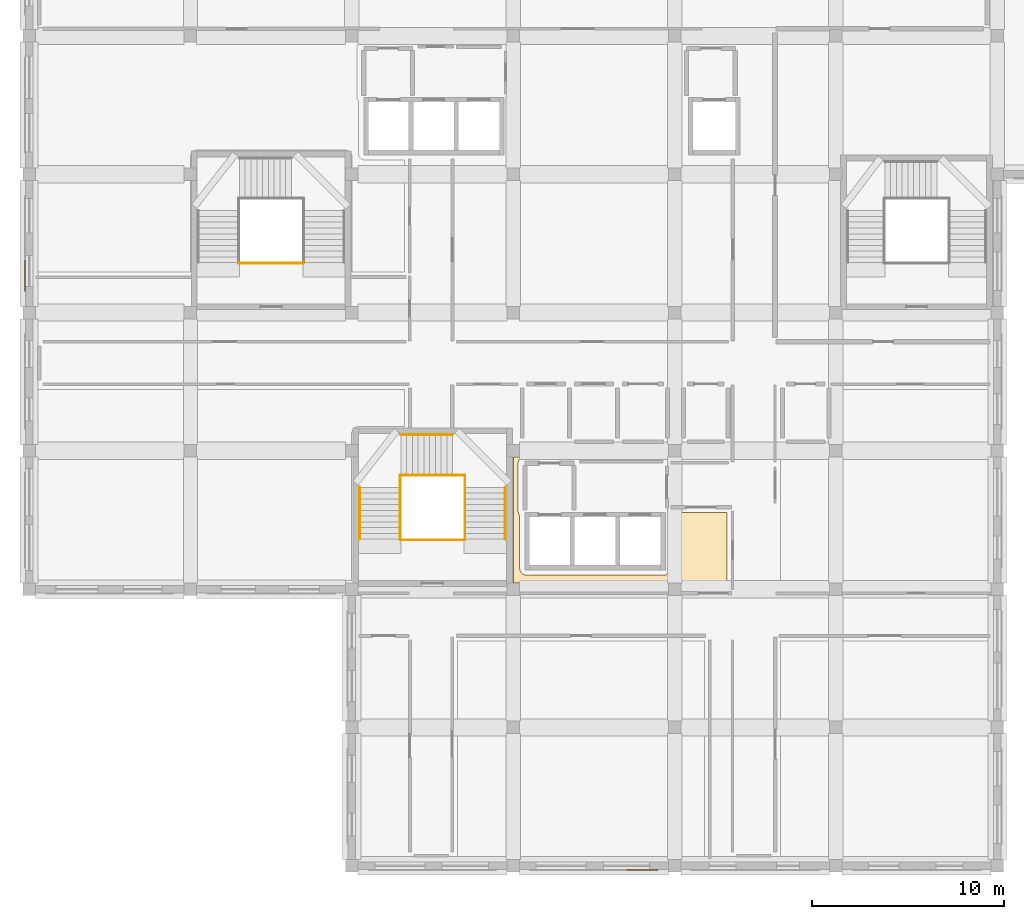
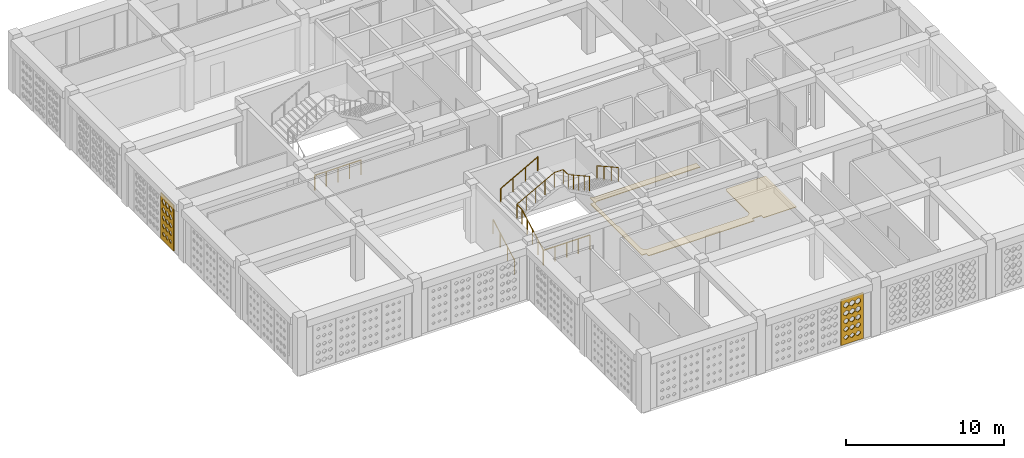
# One storey, part 21 of 47: 8 railings, 3 coverings.
"""IFC4 building model written with IfcOpenShell, lengths in metres."""

from ifc_helpers import new_model, si_unit, derived_unit, direction, frame, origin, origin_2d, place, context, subcontext, project, spatial, polyline, circle, outline, extrude, material, layer, layer_set, type_object, element, save


model = new_model("IFC4")

# Units and contexts
model_context = context("Model", 3, precision=1e-05, world=origin(), true_north=direction((0.0, 1.0)))
body_context = subcontext(model_context, "Body", "Model", "MODEL_VIEW")
ifc_project = project(units=[si_unit("LENGTHUNIT", "METRE"), si_unit("AREAUNIT", "SQUARE_METRE"), si_unit("VOLUMEUNIT", "CUBIC_METRE"), si_unit("PLANEANGLEUNIT", "RADIAN"), si_unit("MASSUNIT", "GRAM", prefix="KILO"), derived_unit("THERMALTRANSMITTANCEUNIT", [(si_unit("POWERUNIT", "WATT"), 1), (si_unit("LENGTHUNIT", "METRE"), -2), (si_unit("THERMODYNAMICTEMPERATUREUNIT", "KELVIN"), -1)])], contexts=[model_context])

# Site, building, storey
site_placement = place(None, origin())
site = spatial("IfcSite", under=ifc_project, at=site_placement, CompositionType="ELEMENT")
building_placement = place(site_placement, origin())
building = spatial("IfcBuilding", under=site, at=building_placement, Name="Veybourne Emporium", CompositionType="ELEMENT")
storey_placement = place(building_placement, frame((0.0, 0.0, 23.39990234375)))
storey = spatial("IfcBuildingStorey", under=building, at=storey_placement, Name="L05", CompositionType="ELEMENT", Elevation=23.39990234375)

# Covering
ifc_material_1 = material(Name="Venetian Terrazzo Flooring", Category="masonry")
ifc_layer_1 = layer(ifc_material_1, 0.044921875)
ifc_layer_set_1 = layer_set([ifc_layer_1], Name="Venetian Terrazzo Flooring")
covering_type_1 = type_object("IfcCoveringType", Name="Flooring_FLR-01", PredefinedType="FLOORING", material=ifc_layer_set_1)
covering_1_placement = place(storey_placement, origin())
element("IfcCovering", 1, at=covering_1_placement, inside=storey, type_object=covering_type_1, Name="L05 floor finish 05", PredefinedType="FLOORING", context=body_context, shape_type="SweptSolid", body=[
    extrude(outline(polyline([(25.5419921875, 21.8564453125), (25.558349609375, 21.845458984375), (25.57177734375, 21.83740234375), (25.589111328125, 21.828125), (25.603271484375, 21.8212890625), (25.621337890625, 21.81396484375), (25.63623046875, 21.80859375), (25.655029296875, 21.802978515625), (25.670166015625, 21.799072265625), (25.689453125, 21.795166015625), (25.705078125, 21.79296875), (25.724609375, 21.791015625), (25.740234375, 21.790283203125), (25.75, 21.7900390625), (28.050048828125, 21.7900390625), (28.059814453125, 21.790283203125), (28.075439453125, 21.791015625), (28.094970703125, 21.79296875), (28.110595703125, 21.795166015625), (28.1298828125, 21.799072265625), (28.14501953125, 21.802978515625), (28.14990234375, 21.804443359375), (28.155029296875, 21.802978515625), (28.170166015625, 21.799072265625), (28.189453125, 21.795166015625), (28.205078125, 21.79296875), (28.224609375, 21.791015625), (28.240234375, 21.790283203125), (28.25, 21.7900390625), (30.550048828125, 21.7900390625), (30.559814453125, 21.790283203125), (30.575439453125, 21.791015625), (30.594970703125, 21.79296875), (30.610595703125, 21.795166015625), (30.6298828125, 21.799072265625), (30.64501953125, 21.802978515625), (30.64990234375, 21.804443359375), (30.655029296875, 21.802978515625), (30.670166015625, 21.799072265625), (30.689453125, 21.795166015625), (30.705078125, 21.79296875), (30.724609375, 21.791015625), (30.740234375, 21.790283203125), (30.75, 21.7900390625), (33.14990234375, 21.7900390625), (33.159912109375, 21.790283203125), (33.175537109375, 21.791015625), (33.195068359375, 21.79296875), (33.21044921875, 21.795166015625), (33.229736328125, 21.799072265625), (33.2451171875, 21.802978515625), (33.263916015625, 21.80859375), (33.27001953125, 21.810791015625), (33.27001953125, 21.277099609375), (33.266845703125, 21.278564453125), (33.24853515625, 21.2861328125), (33.23388671875, 21.29150390625), (33.215087890625, 21.297119140625), (33.199951171875, 21.301025390625), (33.180419921875, 21.3046875), (33.1650390625, 21.30712890625), (33.1455078125, 21.30908203125), (33.1298828125, 21.309814453125), (33.1201171875, 21.31005859375), (28.52001953125, 21.31005859375), (28.51025390625, 21.309814453125), (28.49462890625, 21.30908203125), (28.47509765625, 21.30712890625), (28.45947265625, 21.3046875), (28.440185546875, 21.301025390625), (28.43994140625, 21.30078125), (28.43994140625, 21.301025390625), (28.42041015625, 21.3046875), (28.405029296875, 21.30712890625), (28.385498046875, 21.30908203125), (28.369873046875, 21.309814453125), (28.360107421875, 21.31005859375), (25.820068359375, 21.31005859375), (25.810302734375, 21.309814453125), (25.79443359375, 21.30908203125), (25.77490234375, 21.30712890625), (25.759521484375, 21.3046875), (25.740234375, 21.301025390625), (25.724853515625, 21.297119140625), (25.7060546875, 21.29150390625), (25.69140625, 21.2861328125), (25.67333984375, 21.278564453125), (25.6591796875, 21.27197265625), (25.641845703125, 21.2626953125), (25.62841796875, 21.254638671875), (25.61181640625, 21.24365234375), (25.599365234375, 21.234375), (25.584228515625, 21.221923828125), (25.572509765625, 21.21142578125), (25.55859375, 21.197265625), (25.548095703125, 21.185791015625), (25.53564453125, 21.170654296875), (25.5263671875, 21.158203125), (25.515380859375, 21.1416015625), (25.50732421875, 21.128173828125), (25.498046875, 21.11083984375), (25.491455078125, 21.0966796875), (25.48388671875, 21.07861328125), (25.478515625, 21.06396484375), (25.472900390625, 21.045166015625), (25.468994140625, 21.02978515625), (25.46533203125, 21.010498046875), (25.462890625, 20.994873046875), (25.4609375, 20.9755859375), (25.460205078125, 20.959716796875), (25.4599609375, 20.949951171875), (25.4599609375, 18.4482421875), (25.460205078125, 18.438720703125), (25.4609375, 18.42333984375), (25.462890625, 18.404296875), (25.465087890625, 18.38916015625), (25.46875, 18.370361328125), (25.47216796875, 18.35546875), (25.477783203125, 18.3369140625), (25.48291015625, 18.322509765625), (25.489990234375, 18.3046875), (25.496337890625, 18.290771484375), (25.50537109375, 18.273681640625), (25.512939453125, 18.260498046875), (25.5234375, 18.244384765625), (25.532470703125, 18.23193359375), (25.5400390625, 18.222412109375), (25.5400390625, 15.489990234375), (25.540283203125, 15.480224609375), (25.541015625, 15.464599609375), (25.54296875, 15.445068359375), (25.545166015625, 15.429443359375), (25.549072265625, 15.41015625), (25.552978515625, 15.39501953125), (25.55859375, 15.376220703125), (25.56396484375, 15.361328125), (25.5712890625, 15.34326171875), (25.578125, 15.3291015625), (25.58740234375, 15.311767578125), (25.595458984375, 15.29833984375), (25.6064453125, 15.281982421875), (25.61572265625, 15.269287109375), (25.628173828125, 15.254150390625), (25.638671875, 15.24267578125), (25.652587890625, 15.228515625), (25.664306640625, 15.218017578125), (25.67919921875, 15.205810546875), (25.69189453125, 15.1962890625), (25.708251953125, 15.185302734375), (25.7216796875, 15.17724609375), (25.739013671875, 15.16796875), (25.753173828125, 15.161376953125), (25.771484375, 15.15380859375), (25.7861328125, 15.148681640625), (25.804931640625, 15.142822265625), (25.820068359375, 15.13916015625), (25.839599609375, 15.13525390625), (25.85498046875, 15.1328125), (25.87451171875, 15.131103515625), (25.89013671875, 15.130126953125), (25.89990234375, 15.1298828125), (28.320068359375, 15.1298828125), (28.329833984375, 15.130126953125), (28.345458984375, 15.131103515625), (28.364990234375, 15.1328125), (28.380615234375, 15.13525390625), (28.39990234375, 15.13916015625), (28.39990234375, 15.13916015625), (28.400146484375, 15.13916015625), (28.41943359375, 15.13525390625), (28.43505859375, 15.1328125), (28.45458984375, 15.131103515625), (28.47021484375, 15.130126953125), (28.47998046875, 15.1298828125), (30.679931640625, 15.1298828125), (30.689697265625, 15.130126953125), (30.70556640625, 15.131103515625), (30.72509765625, 15.1328125), (30.740478515625, 15.13525390625), (30.759765625, 15.13916015625), (30.760009765625, 15.13916015625), (30.76025390625, 15.13916015625), (30.779541015625, 15.13525390625), (30.794921875, 15.1328125), (30.814453125, 15.131103515625), (30.830078125, 15.130126953125), (30.840087890625, 15.1298828125), (33.0400390625, 15.1298828125), (33.0498046875, 15.130126953125), (33.0654296875, 15.131103515625), (33.0849609375, 15.1328125), (33.1005859375, 15.13525390625), (33.119873046875, 15.13916015625), (33.135009765625, 15.142822265625), (33.15380859375, 15.148681640625), (33.168701171875, 15.15380859375), (33.186767578125, 15.161376953125), (33.200927734375, 15.16796875), (33.21826171875, 15.17724609375), (33.231689453125, 15.185302734375), (33.248046875, 15.1962890625), (33.2607421875, 15.205810546875), (33.275634765625, 15.218017578125), (33.287353515625, 15.228515625), (33.30126953125, 15.24267578125), (33.31201171875, 15.254150390625), (33.32421875, 15.269287109375), (33.333740234375, 15.281982421875), (33.3447265625, 15.29833984375), (33.352783203125, 15.311767578125), (33.36181640625, 15.3291015625), (33.36865234375, 15.34326171875), (33.376220703125, 15.361328125), (33.38134765625, 15.376220703125), (33.38720703125, 15.39501953125), (33.390869140625, 15.41015625), (33.394775390625, 15.429443359375), (33.39697265625, 15.445068359375), (33.39892578125, 15.464599609375), (33.399658203125, 15.480224609375), (33.39990234375, 15.489990234375), (33.39990234375, 18.222412109375), (33.407470703125, 18.23193359375), (33.41650390625, 18.244384765625), (33.427001953125, 18.260498046875), (33.434814453125, 18.273681640625), (33.443603515625, 18.290771484375), (33.449951171875, 18.3046875), (33.457275390625, 18.322509765625), (33.462158203125, 18.3369140625), (33.4677734375, 18.35546875), (33.471435546875, 18.370361328125), (33.47509765625, 18.38916015625), (33.47509765625, 18.389892578125), (36.340087890625, 18.389892578125), (36.340087890625, 14.4599609375), (33.929931640625, 14.4599609375), (33.929931640625, 14.72998046875), (33.27001953125, 14.72998046875), (33.27001953125, 14.4599609375), (25.530029296875, 14.4599609375), (25.530029296875, 14.72998046875), (25.189208984375, 14.72998046875), (25.19140625, 14.736083984375), (25.197021484375, 14.7548828125), (25.200927734375, 14.770263671875), (25.204833984375, 14.78955078125), (25.20703125, 14.804931640625), (25.208984375, 14.824462890625), (25.209716796875, 14.840087890625), (25.2099609375, 14.85009765625), (25.2099609375, 21.27001953125), (25.530029296875, 21.27001953125), (25.530029296875, 21.865234375), (25.5419921875, 21.8564453125)])), origin(), (0.0, 0.0, 1.0), 0.045166015625),
])

# Railings
ifc_material_2 = material(Name="Brushed Stainless Steel", Category="steel")
railing_type_1 = type_object("IfcRailingType", Name="Guard_GR-01", PredefinedType="GUARDRAIL", material=ifc_material_2)
railing_1_placement = place(storey_placement, frame((19.31005859375, 17.0, 0.0)))
element("IfcRailing", 2, at=railing_1_placement, inside=storey, type_object=railing_type_1, Name="L05 ST-01 stair guard 1", PredefinedType="GUARDRAIL", context=body_context, shape_type="SweptSolid", body=[
    extrude(circle(Radius=0.02392578125, at=origin_2d()), frame((0.0, 0.0, 1.1259765625), z_axis=(0.0, 0.87415354758, 0.485649642493), x_axis=(-1.0, 0.0, 0.0)), (0.0, 0.0, 1.0), 3.088623046875),
    extrude(circle(Radius=0.02392578125, at=origin_2d()), frame((0.0, 2.699951171875, 2.6259765625), z_axis=(0.0, 1.0, 0.0), x_axis=(-1.0, 0.0, 0.0)), (0.0, 0.0, 1.0), 0.64013671875),
    extrude(circle(Radius=0.02099609375, at=origin_2d()), origin(), (0.0, 0.0, 1.0), 1.101806640625),
    extrude(circle(Radius=0.02099609375, at=origin_2d()), frame((0.0, 0.675048828125, 0.375)), (0.0, 0.0, 1.0), 1.101806640625),
    extrude(circle(Radius=0.02099609375, at=origin_2d()), frame((0.0, 1.35009765625, 0.75)), (0.0, 0.0, 1.0), 1.101806640625),
    extrude(circle(Radius=0.02099609375, at=origin_2d()), frame((0.0, 2.02490234375, 1.125)), (0.0, 0.0, 1.0), 1.101806640625),
    extrude(circle(Radius=0.02099609375, at=origin_2d()), frame((0.0, 2.699951171875, 1.5)), (0.0, 0.0, 1.0), 1.101806640625),
    extrude(circle(Radius=0.02099609375, at=origin_2d()), frame((0.0, 3.340087890625, 1.5)), (0.0, 0.0, 1.0), 1.101806640625),
])
railing_2_placement = place(storey_placement, frame((19.31005859375, 20.340087890625, 1.5)))
element("IfcRailing", 3, at=railing_2_placement, inside=storey, type_object=railing_type_1, Name="L05 ST-01 stair guard 2", PredefinedType="GUARDRAIL", context=body_context, shape_type="SweptSolid", body=[
    extrude(circle(Radius=0.02392578125, at=origin_2d()), frame((0.0, 0.0, 1.1259765625), z_axis=(0.87715976088, 0.0, 0.480198660861), x_axis=(0.0, 1.0, 0.0)), (0.0, 0.0, 1.0), 3.123779296875),
    extrude(circle(Radius=0.02392578125, at=origin_2d()), frame((2.739990234375, 0.0, 2.6259765625), z_axis=(1.0, 0.0, 0.0), x_axis=(0.0, 1.0, 0.0)), (0.0, 0.0, 1.0), 0.639892578125),
    extrude(circle(Radius=0.02099609375, at=origin_2d()), origin(), (0.0, 0.0, 1.0), 1.101806640625),
    extrude(circle(Radius=0.02099609375, at=origin_2d()), frame((0.68505859375, 0.0, 0.375)), (0.0, 0.0, 1.0), 1.101806640625),
    extrude(circle(Radius=0.02099609375, at=origin_2d()), frame((1.3701171875, 0.0, 0.75)), (0.0, 0.0, 1.0), 1.101806640625),
    extrude(circle(Radius=0.02099609375, at=origin_2d()), frame((2.054931640625, 0.0, 1.125)), (0.0, 0.0, 1.0), 1.101806640625),
    extrude(circle(Radius=0.02099609375, at=origin_2d()), frame((2.739990234375, 0.0, 1.5)), (0.0, 0.0, 1.0), 1.101806640625),
    extrude(circle(Radius=0.02099609375, at=origin_2d()), frame((3.3798828125, 0.0, 1.5)), (0.0, 0.0, 1.0), 1.101806640625),
])
railing_3_placement = place(storey_placement, frame((22.68994140625, 20.340087890625, 3.0)))
element("IfcRailing", 4, at=railing_3_placement, inside=storey, type_object=railing_type_1, Name="L05 ST-01 stair guard 3", PredefinedType="GUARDRAIL", context=body_context, shape_type="SweptSolid", body=[
    extrude(circle(Radius=0.02392578125, at=origin_2d()), frame((0.0, 0.0, 1.1259765625), z_axis=(0.0, -1.0, 0.0), x_axis=(1.0, 0.0, 0.0)), (0.0, 0.0, 1.0), 0.64013671875),
    extrude(circle(Radius=0.02392578125, at=origin_2d()), frame((0.0, -0.64013671875, 1.1259765625), z_axis=(0.0, -0.87415354758, 0.485649642493), x_axis=(1.0, 0.0, 0.0)), (0.0, 0.0, 1.0), 3.088623046875),
    extrude(circle(Radius=0.02099609375, at=origin_2d()), origin(), (0.0, 0.0, 1.0), 1.101806640625),
    extrude(circle(Radius=0.02099609375, at=origin_2d()), frame((0.0, -0.64013671875, 0.0)), (0.0, 0.0, 1.0), 1.101806640625),
    extrude(circle(Radius=0.02099609375, at=origin_2d()), frame((0.0, -1.315185546875, 0.375)), (0.0, 0.0, 1.0), 1.101806640625),
    extrude(circle(Radius=0.02099609375, at=origin_2d()), frame((0.0, -1.990234375, 0.75)), (0.0, 0.0, 1.0), 1.101806640625),
    extrude(circle(Radius=0.02099609375, at=origin_2d()), frame((0.0, -2.6650390625, 1.125)), (0.0, 0.0, 1.0), 1.101806640625),
    extrude(circle(Radius=0.02099609375, at=origin_2d()), frame((0.0, -3.340087890625, 1.5)), (0.0, 0.0, 1.0), 1.101806640625),
])
railing_4_placement = place(storey_placement, frame((19.31005859375, 16.9599609375, 0.0)))
element("IfcRailing", 5, at=railing_4_placement, inside=storey, type_object=railing_type_1, Name="L05 ST-01 stair guard 4", PredefinedType="GUARDRAIL", context=body_context, shape_type="SweptSolid", body=[
    extrude(circle(Radius=0.02392578125, at=origin_2d()), frame((0.0, 0.0, 1.1259765625), z_axis=(1.0, 0.0, 0.0), x_axis=(0.0, 1.0, 0.0)), (0.0, 0.0, 1.0), 3.3798828125),
    extrude(circle(Radius=0.02099609375, at=origin_2d()), origin(), (0.0, 0.0, 1.0), 1.101806640625),
    extrude(circle(Radius=0.02099609375, at=origin_2d()), frame((0.844970703125, 0.0, 0.0)), (0.0, 0.0, 1.0), 1.101806640625),
    extrude(circle(Radius=0.02099609375, at=origin_2d()), frame((1.68994140625, 0.0, 0.0)), (0.0, 0.0, 1.0), 1.101806640625),
    extrude(circle(Radius=0.02099609375, at=origin_2d()), frame((2.534912109375, 0.0, 0.0)), (0.0, 0.0, 1.0), 1.101806640625),
    extrude(circle(Radius=0.02099609375, at=origin_2d()), frame((3.3798828125, 0.0, 0.0)), (0.0, 0.0, 1.0), 1.101806640625),
])
railing_5_placement = place(storey_placement, frame((10.909912109375, 31.360107421875, 0.0)))
element("IfcRailing", 6, at=railing_5_placement, inside=storey, type_object=railing_type_1, Name="L05 ST-02 stair guard 4", PredefinedType="GUARDRAIL", context=body_context, shape_type="SweptSolid", body=[
    extrude(circle(Radius=0.02392578125, at=origin_2d()), frame((0.0, 0.0, 1.1259765625), z_axis=(1.0, 0.0, 0.0), x_axis=(0.0, 1.0, 0.0)), (0.0, 0.0, 1.0), 3.380126953125),
    extrude(circle(Radius=0.02099609375, at=origin_2d()), origin(), (0.0, 0.0, 1.0), 1.101806640625),
    extrude(circle(Radius=0.02099609375, at=origin_2d()), frame((0.844970703125, 0.0, 0.0)), (0.0, 0.0, 1.0), 1.101806640625),
    extrude(circle(Radius=0.02099609375, at=origin_2d()), frame((1.68994140625, 0.0, 0.0)), (0.0, 0.0, 1.0), 1.101806640625),
    extrude(circle(Radius=0.02099609375, at=origin_2d()), frame((2.53515625, 0.0, 0.0)), (0.0, 0.0, 1.0), 1.101806640625),
    extrude(circle(Radius=0.02099609375, at=origin_2d()), frame((3.380126953125, 0.0, 0.0)), (0.0, 0.0, 1.0), 1.101806640625),
])
railing_type_2 = type_object("IfcRailingType", Name="Handrail_HR-01", PredefinedType="HANDRAIL", material=ifc_material_2)
railing_6_placement = place(storey_placement, frame((17.2099609375, 17.0, 0.150146484375)))
element("IfcRailing", 7, at=railing_6_placement, inside=storey, type_object=railing_type_2, Name="L05 ST-01 pitch handrail 1", PredefinedType="HANDRAIL", context=body_context, shape_type="SweptSolid", body=[
    extrude(circle(Radius=0.02392578125, at=origin_2d()), frame((0.0, 0.0, 0.92578125), z_axis=(0.0, 0.87415354758, 0.485649642493), x_axis=(-1.0, 0.0, 0.0)), (0.0, 0.0, 1.0), 3.088623046875),
    extrude(circle(Radius=0.02099609375, at=origin_2d()), frame((0.0, 0.0, -0.14990234375)), (0.0, 0.0, 1.0), 1.0517578125),
    extrude(circle(Radius=0.02099609375, at=origin_2d()), frame((0.0, 0.89990234375, 0.35009765625)), (0.0, 0.0, 1.0), 1.0517578125),
    extrude(circle(Radius=0.02099609375, at=origin_2d()), frame((0.0, 1.800048828125, 0.85009765625)), (0.0, 0.0, 1.0), 1.0517578125),
    extrude(circle(Radius=0.02099609375, at=origin_2d()), frame((0.0, 2.699951171875, 1.35009765625)), (0.0, 0.0, 1.0), 1.0517578125),
])
railing_7_placement = place(storey_placement, frame((19.35009765625, 22.43994140625, 1.650146484375)))
element("IfcRailing", 8, at=railing_7_placement, inside=storey, type_object=railing_type_2, Name="L05 ST-01 pitch handrail 2", PredefinedType="HANDRAIL", context=body_context, shape_type="SweptSolid", body=[
    extrude(circle(Radius=0.02392578125, at=origin_2d()), frame((0.0, 0.0, 0.92578125), z_axis=(0.87415354758, 0.0, 0.485649642493), x_axis=(0.0, 1.0, 0.0)), (0.0, 0.0, 1.0), 3.088623046875),
    extrude(circle(Radius=0.02099609375, at=origin_2d()), frame((0.0, 0.0, -0.14990234375)), (0.0, 0.0, 1.0), 1.0517578125),
    extrude(circle(Radius=0.02099609375, at=origin_2d()), frame((0.89990234375, 0.0, 0.35009765625)), (0.0, 0.0, 1.0), 1.0517578125),
    extrude(circle(Radius=0.02099609375, at=origin_2d()), frame((1.800048828125, 0.0, 0.85009765625)), (0.0, 0.0, 1.0), 1.0517578125),
    extrude(circle(Radius=0.02099609375, at=origin_2d()), frame((2.699951171875, 0.0, 1.35009765625)), (0.0, 0.0, 1.0), 1.0517578125),
])
railing_8_placement = place(storey_placement, frame((24.7900390625, 19.699951171875, 3.150146484375)))
element("IfcRailing", 9, at=railing_8_placement, inside=storey, type_object=railing_type_2, Name="L05 ST-01 pitch handrail 3", PredefinedType="HANDRAIL", context=body_context, shape_type="SweptSolid", body=[
    extrude(circle(Radius=0.02392578125, at=origin_2d()), frame((0.0, 0.0, 0.92578125), z_axis=(0.0, -0.87415354758, 0.485649642493), x_axis=(1.0, 0.0, 0.0)), (0.0, 0.0, 1.0), 3.088623046875),
    extrude(circle(Radius=0.02099609375, at=origin_2d()), frame((0.0, 0.0, -0.14990234375)), (0.0, 0.0, 1.0), 1.0517578125),
    extrude(circle(Radius=0.02099609375, at=origin_2d()), frame((0.0, -0.89990234375, 0.35009765625)), (0.0, 0.0, 1.0), 1.0517578125),
    extrude(circle(Radius=0.02099609375, at=origin_2d()), frame((0.0, -1.800048828125, 0.85009765625)), (0.0, 0.0, 1.0), 1.0517578125),
    extrude(circle(Radius=0.02099609375, at=origin_2d()), frame((0.0, -2.699951171875, 1.35009765625)), (0.0, 0.0, 1.0), 1.0517578125),
])

# Coverings
ifc_material_3 = material(Name="Warm-White Perforated Aluminium Screen Alloy", Category="aluminium")
ifc_layer_2 = layer(ifc_material_3, 0.06005859375)
ifc_layer_set_2 = layer_set([ifc_layer_2], Name="Warm-White Perforated Aluminium Screen Alloy")
covering_type_2 = type_object("IfcCoveringType", Name="WaveScreen_SCR-01", PredefinedType="CLADDING", material=ifc_layer_set_2)
covering_2_placement = place(storey_placement, frame((31.919921875, -0.248046875, 1.830078125), z_axis=(0.0, 1.0, 0.0), x_axis=(-1.0, 0.0, 0.0)))
element("IfcCovering", 10, at=covering_2_placement, inside=storey, type_object=covering_type_2, Name="L05 wave-perforated aluminium screen SCR-01 (14.1)", PredefinedType="CLADDING", context=body_context, shape_type="SweptSolid", body=[
    extrude(outline(polyline([(-0.81982421875, -1.77001953125), (0.81982421875, -1.77001953125), (0.81982421875, 1.77001953125), (-0.81982421875, 1.77001953125), (-0.81982421875, -1.77001953125)]), holes=[polyline([(-0.433349609375, -1.052734375), (-0.270263671875, -1.172607421875), (-0.270263671875, -1.307373046875), (-0.433349609375, -1.42724609375), (-0.596435546875, -1.307373046875), (-0.596435546875, -1.172607421875), (-0.433349609375, -1.052734375)]), polyline([(-0.433349609375, -0.41845703125), (-0.258544921875, -0.547607421875), (-0.258544921875, -0.6923828125), (-0.433349609375, -0.821533203125), (-0.608154296875, -0.6923828125), (-0.608154296875, -0.547607421875), (-0.433349609375, -0.41845703125)]), polyline([(-0.433349609375, 0.215576171875), (-0.2470703125, 0.07763671875), (-0.2470703125, -0.07763671875), (-0.433349609375, -0.215576171875), (-0.61962890625, -0.07763671875), (-0.61962890625, 0.07763671875), (-0.433349609375, 0.215576171875)]), polyline([(-0.433349609375, 0.848876953125), (-0.2470703125, 0.702392578125), (-0.2470703125, 0.53759765625), (-0.433349609375, 0.39111328125), (-0.61962890625, 0.53759765625), (-0.61962890625, 0.702392578125), (-0.433349609375, 0.848876953125)]), polyline([(-0.433349609375, 1.481201171875), (-0.2470703125, 1.326904296875), (-0.2470703125, 1.1533203125), (-0.433349609375, 0.998779296875), (-0.61962890625, 1.1533203125), (-0.61962890625, 1.326904296875), (-0.433349609375, 1.481201171875)]), polyline([(0.0, -1.05908203125), (0.157958984375, -1.1748046875), (0.157958984375, -1.30517578125), (0.0, -1.4208984375), (-0.157958984375, -1.30517578125), (-0.157958984375, -1.1748046875), (0.0, -1.05908203125)]), polyline([(0.0, -0.425048828125), (0.169677734375, -0.5498046875), (0.169677734375, -0.690185546875), (0.0, -0.81494140625), (-0.169677734375, -0.690185546875), (-0.169677734375, -0.5498046875), (0.0, -0.425048828125)]), polyline([(0.0, 0.209228515625), (0.18115234375, 0.0751953125), (0.18115234375, -0.0751953125), (0.0, -0.209228515625), (-0.18115234375, -0.0751953125), (-0.18115234375, 0.0751953125), (0.0, 0.209228515625)]), polyline([(0.0, 0.843017578125), (0.186279296875, 0.7001953125), (0.186279296875, 0.539794921875), (0.0, 0.397216796875), (-0.186279296875, 0.539794921875), (-0.186279296875, 0.7001953125), (0.0, 0.843017578125)]), polyline([(0.0, 1.4755859375), (0.186279296875, 1.324951171875), (0.186279296875, 1.155029296875), (0.0, 1.00439453125), (-0.186279296875, 1.155029296875), (-0.186279296875, 1.324951171875), (0.0, 1.4755859375)]), polyline([(0.433349609375, -1.065673828125), (0.5859375, -1.17724609375), (0.5859375, -1.302734375), (0.433349609375, -1.414306640625), (0.280517578125, -1.302734375), (0.280517578125, -1.17724609375), (0.433349609375, -1.065673828125)]), polyline([(0.433349609375, -0.431396484375), (0.59765625, -0.552001953125), (0.59765625, -0.68798828125), (0.433349609375, -0.80859375), (0.26904296875, -0.68798828125), (0.26904296875, -0.552001953125), (0.433349609375, -0.431396484375)]), polyline([(0.433349609375, 0.202880859375), (0.609375, 0.072998046875), (0.609375, -0.072998046875), (0.433349609375, -0.202880859375), (0.25732421875, -0.072998046875), (0.25732421875, 0.072998046875), (0.433349609375, 0.202880859375)]), polyline([(0.433349609375, 0.8369140625), (0.61962890625, 0.697998046875), (0.61962890625, 0.5419921875), (0.433349609375, 0.403076171875), (0.2470703125, 0.5419921875), (0.2470703125, 0.697998046875), (0.433349609375, 0.8369140625)]), polyline([(0.433349609375, 1.47021484375), (0.61962890625, 1.32275390625), (0.61962890625, 1.1572265625), (0.433349609375, 1.010009765625), (0.2470703125, 1.1572265625), (0.2470703125, 1.32275390625), (0.433349609375, 1.47021484375)])]), origin(), (0.0, 0.0, 1.0), 0.06005859375),
])
ifc_layer_3 = layer(ifc_material_3, 0.06005859375)
ifc_layer_set_3 = layer_set([ifc_layer_3], Name="Warm-White Perforated Aluminium Screen Alloy")
covering_type_3 = type_object("IfcCoveringType", Name="WaveScreen_SCR-03", PredefinedType="CLADDING", material=ifc_layer_set_3)
covering_3_placement = place(storey_placement, frame((-0.248046875, 30.719970703125, 1.830078125), z_axis=(1.0, 0.0, 0.0), x_axis=(0.0, 1.0, 0.0)))
element("IfcCovering", 11, at=covering_3_placement, inside=storey, type_object=covering_type_3, Name="L05 wave-perforated aluminium screen SCR-03 (4.1)", PredefinedType="CLADDING", context=body_context, shape_type="SweptSolid", body=[
    extrude(outline(polyline([(-0.81982421875, -1.77001953125), (0.81982421875, -1.77001953125), (0.81982421875, 1.77001953125), (-0.81982421875, 1.77001953125), (-0.81982421875, -1.77001953125)]), holes=[polyline([(-0.433349609375, -1.08251953125), (-0.29443359375, -1.183349609375), (-0.29443359375, -1.296630859375), (-0.433349609375, -1.397705078125), (-0.572265625, -1.296630859375), (-0.572265625, -1.183349609375), (-0.433349609375, -1.08251953125)]), polyline([(-0.433349609375, -0.448974609375), (-0.283447265625, -0.558349609375), (-0.283447265625, -0.681640625), (-0.433349609375, -0.791015625), (-0.583251953125, -0.681640625), (-0.583251953125, -0.558349609375), (-0.433349609375, -0.448974609375)]), polyline([(-0.433349609375, 0.18505859375), (-0.27197265625, 0.066650390625), (-0.27197265625, -0.066650390625), (-0.433349609375, -0.18505859375), (-0.5947265625, -0.066650390625), (-0.5947265625, 0.066650390625), (-0.433349609375, 0.18505859375)]), polyline([(-0.433349609375, 0.8193359375), (-0.26025390625, 0.69189453125), (-0.26025390625, 0.548095703125), (-0.433349609375, 0.420654296875), (-0.6064453125, 0.548095703125), (-0.6064453125, 0.69189453125), (-0.433349609375, 0.8193359375)]), polyline([(-0.433349609375, 1.45361328125), (-0.24853515625, 1.31689453125), (-0.24853515625, 1.1630859375), (-0.433349609375, 1.026611328125), (-0.617919921875, 1.1630859375), (-0.617919921875, 1.31689453125), (-0.433349609375, 1.45361328125)]), polyline([(0.0, -1.076416015625), (0.143798828125, -1.18115234375), (0.143798828125, -1.298828125), (0.0, -1.403564453125), (-0.143798828125, -1.298828125), (-0.143798828125, -1.18115234375), (0.0, -1.076416015625)]), polyline([(0.0, -0.442626953125), (0.155029296875, -0.55615234375), (0.155029296875, -0.683837890625), (0.0, -0.79736328125), (-0.155029296875, -0.683837890625), (-0.155029296875, -0.55615234375), (0.0, -0.442626953125)]), polyline([(0.0, 0.19140625), (0.166748046875, 0.069091796875), (0.166748046875, -0.069091796875), (0.0, -0.19140625), (-0.166748046875, -0.069091796875), (-0.166748046875, 0.069091796875), (0.0, 0.19140625)]), polyline([(0.0, 0.82568359375), (0.178466796875, 0.694091796875), (0.178466796875, 0.5458984375), (0.0, 0.414306640625), (-0.178466796875, 0.5458984375), (-0.178466796875, 0.694091796875), (0.0, 0.82568359375)]), polyline([(0.0, 1.459716796875), (0.186279296875, 1.319091796875), (0.186279296875, 1.160888671875), (0.0, 1.020263671875), (-0.186279296875, 1.160888671875), (-0.186279296875, 1.319091796875), (0.0, 1.459716796875)]), polyline([(0.433349609375, -1.0703125), (0.58203125, -1.178955078125), (0.58203125, -1.301025390625), (0.433349609375, -1.40966796875), (0.284423828125, -1.301025390625), (0.284423828125, -1.178955078125), (0.433349609375, -1.0703125)]), polyline([(0.433349609375, -0.436279296875), (0.593505859375, -0.553955078125), (0.593505859375, -0.68603515625), (0.433349609375, -0.8037109375), (0.273193359375, -0.68603515625), (0.273193359375, -0.553955078125), (0.433349609375, -0.436279296875)]), polyline([(0.433349609375, 0.197998046875), (0.605224609375, 0.0712890625), (0.605224609375, -0.0712890625), (0.433349609375, -0.197998046875), (0.261474609375, -0.0712890625), (0.261474609375, 0.0712890625), (0.433349609375, 0.197998046875)]), polyline([(0.433349609375, 0.83203125), (0.616943359375, 0.6962890625), (0.616943359375, 0.543701171875), (0.433349609375, 0.407958984375), (0.249755859375, 0.543701171875), (0.249755859375, 0.6962890625), (0.433349609375, 0.83203125)]), polyline([(0.433349609375, 1.4658203125), (0.61962890625, 1.3212890625), (0.61962890625, 1.15869140625), (0.433349609375, 1.014404296875), (0.2470703125, 1.15869140625), (0.2470703125, 1.3212890625), (0.433349609375, 1.4658203125)])]), origin(), (0.0, 0.0, 1.0), 0.06005859375),
])

save(model, "model.ifc")
